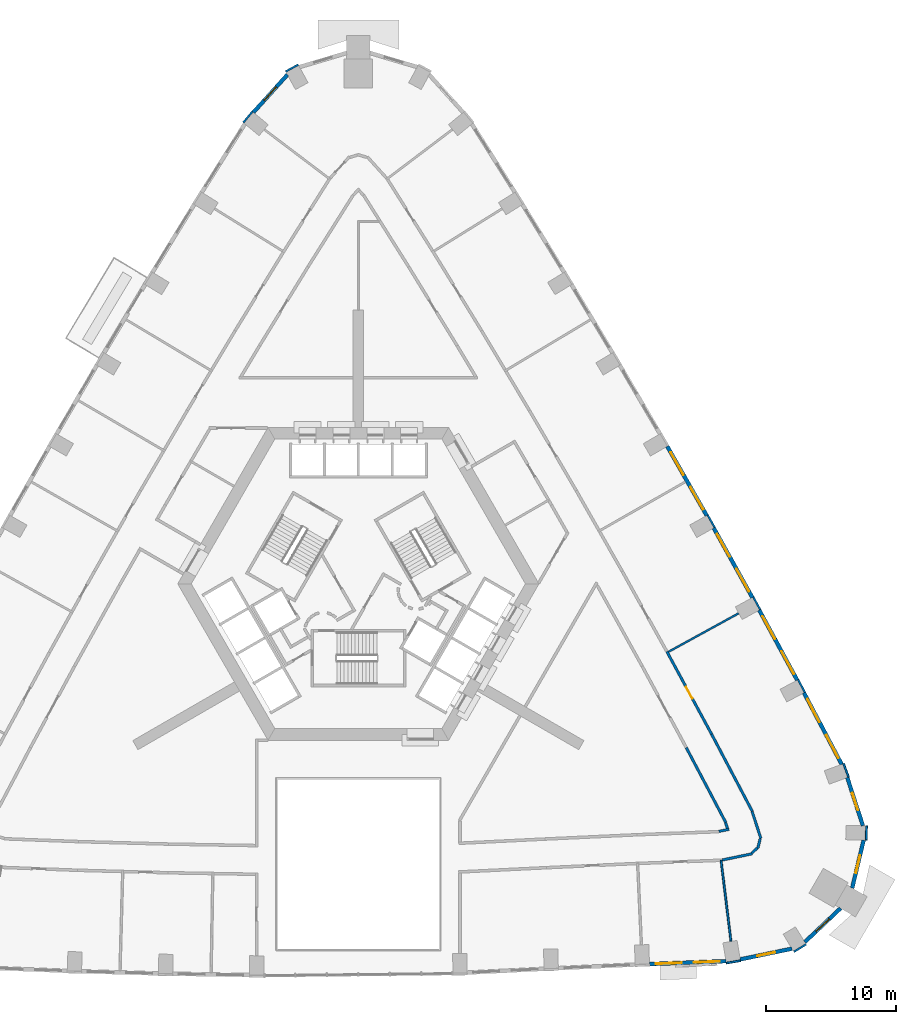
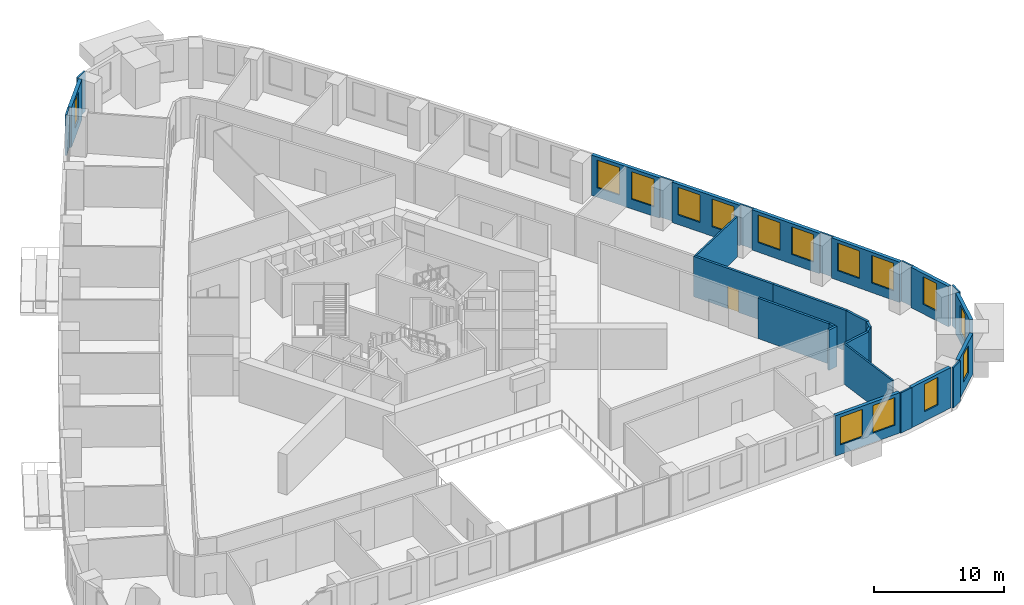
# One storey, part 11 of 15: 30 walls, 15 windows, 1 door, 16 openings.
"""IFC4 building model written with IfcOpenShell, lengths in metres."""

from ifc_helpers import new_model, si_unit, direction, frame, frame_2d, origin, place, context, subcontext, project, spatial, rectangle, extrude, material, layer, layer_set, type_object, element, fill, save


model = new_model("IFC4")

# Units and contexts
model_context = context("Model", 3, precision=1e-05, world=origin(), true_north=direction((0.0, 1.0)))
body_context = subcontext(model_context, "Body", "Model", "MODEL_VIEW")
ifc_project = project(units=[si_unit("LENGTHUNIT", "METRE"), si_unit("AREAUNIT", "SQUARE_METRE"), si_unit("VOLUMEUNIT", "CUBIC_METRE"), si_unit("PLANEANGLEUNIT", "RADIAN"), si_unit("MASSUNIT", "GRAM", prefix="KILO")], contexts=[model_context])

# Site, building, storey
site_placement = place(None, origin())
site = spatial("IfcSite", under=ifc_project, at=site_placement, CompositionType="ELEMENT")
building_placement = place(site_placement, origin())
building = spatial("IfcBuilding", under=site, at=building_placement, Name="Entoto Arch Interchange Tower", CompositionType="ELEMENT")
storey_placement = place(building_placement, frame((0.0, 0.0, 120.199951171875)))
storey = spatial("IfcBuildingStorey", under=building, at=storey_placement, Name="L26", CompositionType="ELEMENT", Elevation=120.199951171875)

# Walls
ifc_material_1 = material(Name="Gypsum board partition on steel studs", Category="steel")
ifc_layer_1 = layer(ifc_material_1, 0.14990234375)
ifc_layer_set_1 = layer_set([ifc_layer_1], Name="Gypsum board partition on steel studs")
wall_type_1 = type_object("IfcWallType", Name="PARTITION 150", PredefinedType="PARTITIONING", material=ifc_layer_set_1)
wall_1_placement = place(storey_placement, frame((27.822021484375, -18.7041015625, 0.0), z_axis=(0.0, 0.0, 1.0), x_axis=(0.121325411006, -0.992612786863, 0.0)))
element("IfcWall", 1, at=wall_1_placement, inside=storey, type_object=wall_type_1, Name="wall:L26:p120", PredefinedType="PARTITIONING", context=body_context, shape_type="SweptSolid", body=[
    extrude(rectangle(XDim=6.256103515625, YDim=0.14990234375, at=frame_2d((3.1279296875, 0.0))), origin(), (0.0, 0.0, 1.0), 3.800048828125),
])
wall_2_placement = place(storey_placement, frame((23.7890625, -2.716064453125, 0.0), z_axis=(0.0, 0.0, 1.0), x_axis=(0.876716532234, 0.481007403382, 0.0)))
element("IfcWall", 2, at=wall_2_placement, inside=storey, type_object=wall_type_1, Name="wall:L26:p121", PredefinedType="PARTITIONING", context=body_context, shape_type="SweptSolid", body=[
    extrude(rectangle(XDim=6.130859375, YDim=0.14990234375, at=frame_2d((3.0654296875, 0.0))), origin(), (0.0, 0.0, 1.0), 3.800048828125),
])
ifc_layer_2 = layer(ifc_material_1, 0.199951171875)
ifc_layer_set_2 = layer_set([ifc_layer_2], Name="Gypsum board partition on steel studs")
wall_type_2 = type_object("IfcWallType", Name="PARTITION 200", PredefinedType="PARTITIONING", material=ifc_layer_set_2)
wall_3_placement = place(storey_placement, frame((27.652099609375, -16.491943359375, 0.0), z_axis=(0.0, 0.0, 1.0), x_axis=(0.979299848672, 0.202414936184, 0.0)))
element("IfcWall", 3, at=wall_3_placement, inside=storey, type_object=wall_type_2, Name="wall:L26:p021", PredefinedType="PARTITIONING", context=body_context, shape_type="SweptSolid", body=[
    extrude(rectangle(XDim=0.804443359375, YDim=0.199951171875, at=frame_2d((0.40234375, 0.0))), origin(), (0.0, 0.0, 1.0), 3.800048828125),
])
wall_4_placement = place(storey_placement, frame((28.31103515625, -16.25390625, 0.0), z_axis=(0.0, 0.0, 1.0), x_axis=(-0.3080060081, 0.951384411778, 0.0)))
element("IfcWall", 4, at=wall_4_placement, inside=storey, type_object=wall_type_2, Name="wall:L26:p022", PredefinedType="PARTITIONING", context=body_context, shape_type="SweptSolid", body=[
    extrude(rectangle(XDim=0.455078125, YDim=0.199951171875, at=frame_2d((0.2275390625, 0.0))), origin(), (0.0, 0.0, 1.0), 3.800048828125),
])
wall_5_placement = place(storey_placement, frame((28.18701171875, -15.81494140625, 0.0), z_axis=(0.0, 0.0, 1.0), x_axis=(-0.466663976618, 0.884434696813, 0.0)))
element("IfcWall", 5, at=wall_5_placement, inside=storey, type_object=wall_type_2, Name="wall:L26:p023", PredefinedType="PARTITIONING", context=body_context, shape_type="SweptSolid", body=[
    extrude(rectangle(XDim=6.501220703125, YDim=0.199951171875, at=frame_2d((3.25048828125, 0.0))), origin(), (0.0, 0.0, 1.0), 3.800048828125),
])

# Wall, opening, door
wall_6_placement = place(storey_placement, frame((23.666015625, -2.697998046875, 0.0), z_axis=(0.0, 0.0, 1.0), x_axis=(0.476195741963, -0.879339306148, 0.0)))
wall_6 = element("IfcWall", 6, at=wall_6_placement, inside=storey, type_object=wall_type_2, Name="wall:L26:p039", PredefinedType="PARTITIONING", context=body_context, shape_type="SweptSolid", body=[
    extrude(rectangle(XDim=7.19873046875, YDim=0.199951171875, at=frame_2d((3.599365234375, 0.0))), origin(), (0.0, 0.0, 1.0), 3.800048828125),
])
opening_1_placement = place(wall_6_placement, frame((3.09912109375, 0.0, 0.0)))
opening_1 = element("IfcOpeningElement", 7, at=opening_1_placement, cuts=wall_6, Name="Opening L26-D03", PredefinedType="OPENING", context=body_context, shape_type="SweptSolid", body=[
    extrude(rectangle(XDim=1.0, YDim=2.10009765625, at=frame_2d((0.5, 1.050048828125))), frame((0.0, 0.10986328125, 0.0), z_axis=(0.0, -1.0, 0.0), x_axis=(1.0, 0.0, 0.0)), (0.0, 0.0, 1.0), 0.219970703125),
])
ifc_material_2 = material(Name="Timber door leaf in Steel S235 frame", Category="steel")
door_type = type_object("IfcDoorType", Name="DOOR DS-10 1000x2100", OperationType="SINGLE_SWING_LEFT", PredefinedType="DOOR", material=ifc_material_2)
door_placement = place(opening_1_placement, origin())
door = element("IfcDoor", 8, at=door_placement, inside=storey, type_object=door_type, Name="door:L26:03", OperationType="SINGLE_SWING_RIGHT", OverallHeight=2.10009765625, OverallWidth=1.0, PredefinedType="DOOR", context=body_context, shape_type="SweptSolid", body=[
    extrude(rectangle(XDim=1.0, YDim=2.10009765625, at=frame_2d((0.5, 1.050048828125))), frame((0.0, 0.02490234375, 0.0), z_axis=(0.0, -1.0, 0.0), x_axis=(1.0, 0.0, 0.0)), (0.0, 0.0, 1.0), 0.050048828125),
])
fill(opening_1, door)

# Walls
wall_7_placement = place(storey_placement, frame((27.093994140625, -9.028076171875, 0.0), z_axis=(0.0, 0.0, 1.0), x_axis=(0.466559961767, -0.884489571491, 0.0)))
element("IfcWall", 9, at=wall_7_placement, inside=storey, type_object=wall_type_2, Name="wall:L26:p040", PredefinedType="PARTITIONING", context=body_context, shape_type="SweptSolid", body=[
    extrude(rectangle(XDim=6.7021484375, YDim=0.199951171875, at=frame_2d((3.35107421875, 0.0))), origin(), (0.0, 0.0, 1.0), 3.800048828125),
])
wall_8_placement = place(storey_placement, frame((30.205078125, -14.9619140625, 0.0), z_axis=(0.0, 0.0, 1.0), x_axis=(0.308592319841, -0.951194396606, 0.0)))
element("IfcWall", 10, at=wall_8_placement, inside=storey, type_object=wall_type_2, Name="wall:L26:p041", PredefinedType="PARTITIONING", context=body_context, shape_type="SweptSolid", body=[
    extrude(rectangle(XDim=2.180419921875, YDim=0.199951171875, at=frame_2d((1.09033203125, 0.0))), origin(), (0.0, 0.0, 1.0), 3.800048828125),
])
wall_9_placement = place(storey_placement, frame((30.822998046875, -17.0380859375, 0.0), z_axis=(0.0, 0.0, 1.0), x_axis=(-0.2319010674, -0.972739376677, 0.0)))
element("IfcWall", 11, at=wall_9_placement, inside=storey, type_object=wall_type_2, Name="wall:L26:p042", PredefinedType="PARTITIONING", context=body_context, shape_type="SweptSolid", body=[
    extrude(rectangle(XDim=0.784423828125, YDim=0.199951171875, at=frame_2d((0.39208984375, 0.0))), origin(), (0.0, 0.0, 1.0), 3.800048828125),
])
wall_10_placement = place(storey_placement, frame((30.592041015625, -17.77294921875, 0.0), z_axis=(0.0, 0.0, 1.0), x_axis=(-0.727217805738, -0.68640677664, 0.0)))
element("IfcWall", 12, at=wall_10_placement, inside=storey, type_object=wall_type_2, Name="wall:L26:p043", PredefinedType="PARTITIONING", context=body_context, shape_type="SweptSolid", body=[
    extrude(rectangle(XDim=0.562255859375, YDim=0.199951171875, at=frame_2d((0.28125, 0.0))), origin(), (0.0, 0.0, 1.0), 3.800048828125),
])
wall_11_placement = place(storey_placement, frame((30.208984375, -18.2080078125, 0.0), z_axis=(0.0, 0.0, 1.0), x_axis=(-0.979049860969, -0.203620651545, 0.0)))
element("IfcWall", 13, at=wall_11_placement, inside=storey, type_object=wall_type_2, Name="wall:L26:p044", PredefinedType="PARTITIONING", context=body_context, shape_type="SweptSolid", body=[
    extrude(rectangle(XDim=2.338134765625, YDim=0.199951171875, at=frame_2d((1.1689453125, 0.0))), origin(), (0.0, 0.0, 1.0), 3.800048828125),
])

# Wall, openings, windows
ifc_material_3 = material(Name="Welded tuff (ignimbrite) cladding, warm buff", Category="masonry")
ifc_layer_3 = layer(ifc_material_3, 0.300048828125)
ifc_layer_set_3 = layer_set([ifc_layer_3], Name="Welded tuff (ignimbrite) cladding, warm buff")
wall_type_3 = type_object("IfcWallType", Name="STONE INFILL WALL 300", PredefinedType="STANDARD", material=ifc_layer_set_3)
wall_12_placement = place(storey_placement, frame((22.33203125, -26.669921875, 0.0), z_axis=(0.0, 0.0, 1.0), x_axis=(0.999267908582, 0.038257638169, 0.0)))
wall_12 = element("IfcWall", 14, at=wall_12_placement, inside=storey, type_object=wall_type_3, Name="Facade wall S-07 L26", PredefinedType="STANDARD", context=body_context, shape_type="SweptSolid", body=[
    extrude(rectangle(XDim=5.87744140625, YDim=0.300048828125, at=frame_2d((2.938720703125, 0.0))), origin(), (0.0, 0.0, 1.0), 3.800048828125),
])
opening_2_placement = place(wall_12_placement, frame((0.468994140625, 0.0, 0.89990234375)))
opening_2 = element("IfcOpeningElement", 15, at=opening_2_placement, cuts=wall_12, Name="Opening WO-C", PredefinedType="OPENING", context=body_context, shape_type="SweptSolid", body=[
    extrude(rectangle(XDim=2.0, YDim=2.60009765625, at=frame_2d((1.0, 1.300048828125))), frame((0.0, 0.16015625, 0.0), z_axis=(0.0, -1.0, 0.0), x_axis=(1.0, 0.0, 0.0)), (0.0, 0.0, 1.0), 0.320068359375),
])
opening_3_placement = place(wall_12_placement, frame((3.407958984375, 0.0, 0.89990234375)))
opening_3 = element("IfcOpeningElement", 16, at=opening_3_placement, cuts=wall_12, Name="Opening WO-C", PredefinedType="OPENING", context=body_context, shape_type="SweptSolid", body=[
    extrude(rectangle(XDim=2.0, YDim=2.60009765625, at=frame_2d((1.0, 1.300048828125))), frame((0.0, 0.16015625, 0.0), z_axis=(0.0, -1.0, 0.0), x_axis=(1.0, 0.0, 0.0)), (0.0, 0.0, 1.0), 0.320068359375),
])
ifc_material_4 = material(Name="Clear glass, low-e double glazed", Category="glass")
window_type_1 = type_object("IfcWindowType", Name="WINDOW WO-C 2000x2600", PartitioningType="DOUBLE_PANEL_VERTICAL", PredefinedType="WINDOW", material=ifc_material_4)
window_1_placement = place(opening_2_placement, origin())
window_1 = element("IfcWindow", 17, at=window_1_placement, inside=storey, type_object=window_type_1, Name="Window WO-C S-07 L26", OverallHeight=2.60009765625, OverallWidth=2.0, PartitioningType="SINGLE_PANEL", PredefinedType="WINDOW", context=body_context, shape_type="SweptSolid", body=[
    extrude(rectangle(XDim=2.0, YDim=2.60009765625, at=frame_2d((1.0, 1.300048828125))), frame((0.0, 0.030029296875, 0.0), z_axis=(0.0, -1.0, 0.0), x_axis=(1.0, 0.0, 0.0)), (0.0, 0.0, 1.0), 0.06005859375),
])
fill(opening_2, window_1)
window_2_placement = place(opening_3_placement, origin())
window_2 = element("IfcWindow", 18, at=window_2_placement, inside=storey, type_object=window_type_1, Name="Window WO-C S-07 L26", OverallHeight=2.60009765625, OverallWidth=2.0, PartitioningType="SINGLE_PANEL", PredefinedType="WINDOW", context=body_context, shape_type="SweptSolid", body=[
    extrude(rectangle(XDim=2.0, YDim=2.60009765625, at=frame_2d((1.0, 1.300048828125))), frame((0.0, 0.030029296875, 0.0), z_axis=(0.0, -1.0, 0.0), x_axis=(1.0, 0.0, 0.0)), (0.0, 0.0, 1.0), 0.06005859375),
])
fill(opening_3, window_2)

# Wall, opening, window
wall_13_placement = place(storey_placement, frame((29.297119140625, -26.31298828125, 0.0), z_axis=(0.0, 0.0, 1.0), x_axis=(0.979080614496, 0.203472726227, 0.0)))
wall_13 = element("IfcWall", 19, at=wall_13_placement, inside=storey, type_object=wall_type_3, Name="Facade wall SE-01 L26", PredefinedType="STANDARD", context=body_context, shape_type="SweptSolid", body=[
    extrude(rectangle(XDim=4.049560546875, YDim=0.300048828125, at=frame_2d((2.02490234375, 0.0))), origin(), (0.0, 0.0, 1.0), 3.800048828125),
])
opening_4_placement = place(wall_13_placement, frame((1.324951171875, 0.0, 0.89990234375)))
opening_4 = element("IfcOpeningElement", 20, at=opening_4_placement, cuts=wall_13, Name="Opening WO-B", PredefinedType="OPENING", context=body_context, shape_type="SweptSolid", body=[
    extrude(rectangle(XDim=1.39990234375, YDim=2.60009765625, at=frame_2d((0.699951171875, 1.300048828125))), frame((0.0, 0.16015625, 0.0), z_axis=(0.0, -1.0, 0.0), x_axis=(1.0, 0.0, 0.0)), (0.0, 0.0, 1.0), 0.320068359375),
])
window_type_2 = type_object("IfcWindowType", Name="WINDOW WO-B 1400x2600", PartitioningType="DOUBLE_PANEL_VERTICAL", PredefinedType="WINDOW", material=ifc_material_4)
window_3_placement = place(opening_4_placement, origin())
window_3 = element("IfcWindow", 21, at=window_3_placement, inside=storey, type_object=window_type_2, Name="Window WO-B SE-01 L26", OverallHeight=2.60009765625, OverallWidth=1.39990234375, PartitioningType="SINGLE_PANEL", PredefinedType="WINDOW", context=body_context, shape_type="SweptSolid", body=[
    extrude(rectangle(XDim=1.39990234375, YDim=2.60009765625, at=frame_2d((0.699951171875, 1.300048828125))), frame((0.0, 0.030029296875, 0.0), z_axis=(0.0, -1.0, 0.0), x_axis=(1.0, 0.0, 0.0)), (0.0, 0.0, 1.0), 0.06005859375),
])
fill(opening_4, window_3)

wall_14_placement = place(storey_placement, frame((34.242919921875, -24.989013671875, 0.0), z_axis=(0.0, 0.0, 1.0), x_axis=(0.726076674532, 0.687613745281, 0.0)))
wall_14 = element("IfcWall", 22, at=wall_14_placement, inside=storey, type_object=wall_type_3, Name="Facade wall SE-02 L26", PredefinedType="STANDARD", context=body_context, shape_type="SweptSolid", body=[
    extrude(rectangle(XDim=3.776611328125, YDim=0.300048828125, at=frame_2d((1.88818359375, 0.0))), origin(), (0.0, 0.0, 1.0), 3.800048828125),
])
opening_5_placement = place(wall_14_placement, frame((1.18798828125, 0.0, 0.89990234375)))
opening_5 = element("IfcOpeningElement", 23, at=opening_5_placement, cuts=wall_14, Name="Opening WO-B", PredefinedType="OPENING", context=body_context, shape_type="SweptSolid", body=[
    extrude(rectangle(XDim=1.39990234375, YDim=2.60009765625, at=frame_2d((0.699951171875, 1.300048828125))), frame((0.0, 0.16015625, 0.0), z_axis=(0.0, -1.0, 0.0), x_axis=(1.0, 0.0, 0.0)), (0.0, 0.0, 1.0), 0.320068359375),
])
window_4_placement = place(opening_5_placement, origin())
window_4 = element("IfcWindow", 24, at=window_4_placement, inside=storey, type_object=window_type_2, Name="Window WO-B SE-02 L26", OverallHeight=2.60009765625, OverallWidth=1.39990234375, PartitioningType="SINGLE_PANEL", PredefinedType="WINDOW", context=body_context, shape_type="SweptSolid", body=[
    extrude(rectangle(XDim=1.39990234375, YDim=2.60009765625, at=frame_2d((0.699951171875, 1.300048828125))), frame((0.0, 0.030029296875, 0.0), z_axis=(0.0, -1.0, 0.0), x_axis=(1.0, 0.0, 0.0)), (0.0, 0.0, 1.0), 0.06005859375),
])
fill(opening_5, window_4)

wall_15_placement = place(storey_placement, frame((37.884033203125, -20.8349609375, 0.0), z_axis=(0.0, 0.0, 1.0), x_axis=(0.232654276823, 0.972559503309, 0.0)))
wall_15 = element("IfcWall", 25, at=wall_15_placement, inside=storey, type_object=wall_type_3, Name="Facade wall SE-03 L26", PredefinedType="STANDARD", context=body_context, shape_type="SweptSolid", body=[
    extrude(rectangle(XDim=3.77783203125, YDim=0.300048828125, at=frame_2d((1.888916015625, 0.0))), origin(), (0.0, 0.0, 1.0), 3.800048828125),
])
opening_6_placement = place(wall_15_placement, frame((1.18896484375, 0.0, 0.89990234375)))
opening_6 = element("IfcOpeningElement", 26, at=opening_6_placement, cuts=wall_15, Name="Opening WO-B", PredefinedType="OPENING", context=body_context, shape_type="SweptSolid", body=[
    extrude(rectangle(XDim=1.39990234375, YDim=2.60009765625, at=frame_2d((0.699951171875, 1.300048828125))), frame((0.0, 0.16015625, 0.0), z_axis=(0.0, -1.0, 0.0), x_axis=(1.0, 0.0, 0.0)), (0.0, 0.0, 1.0), 0.320068359375),
])
window_5_placement = place(opening_6_placement, origin())
window_5 = element("IfcWindow", 27, at=window_5_placement, inside=storey, type_object=window_type_2, Name="Window WO-B SE-03 L26", OverallHeight=2.60009765625, OverallWidth=1.39990234375, PartitioningType="SINGLE_PANEL", PredefinedType="WINDOW", context=body_context, shape_type="SweptSolid", body=[
    extrude(rectangle(XDim=1.39990234375, YDim=2.60009765625, at=frame_2d((0.699951171875, 1.300048828125))), frame((0.0, 0.030029296875, 0.0), z_axis=(0.0, -1.0, 0.0), x_axis=(1.0, 0.0, 0.0)), (0.0, 0.0, 1.0), 0.06005859375),
])
fill(opening_6, window_5)

wall_16_placement = place(storey_placement, frame((38.708984375, -16.06103515625, 0.0), z_axis=(0.0, 0.0, 1.0), x_axis=(-0.308484760821, 0.951229284842, 0.0)))
wall_16 = element("IfcWall", 28, at=wall_16_placement, inside=storey, type_object=wall_type_3, Name="Facade wall SE-04 L26", PredefinedType="STANDARD", context=body_context, shape_type="SweptSolid", body=[
    extrude(rectangle(XDim=3.89306640625, YDim=0.300048828125, at=frame_2d((1.946533203125, 0.0))), origin(), (0.0, 0.0, 1.0), 3.800048828125),
])
opening_7_placement = place(wall_16_placement, frame((1.24609375, 0.0, 0.89990234375)))
opening_7 = element("IfcOpeningElement", 29, at=opening_7_placement, cuts=wall_16, Name="Opening WO-B", PredefinedType="OPENING", context=body_context, shape_type="SweptSolid", body=[
    extrude(rectangle(XDim=1.39990234375, YDim=2.60009765625, at=frame_2d((0.699951171875, 1.300048828125))), frame((0.0, 0.16015625, 0.0), z_axis=(0.0, -1.0, 0.0), x_axis=(1.0, 0.0, 0.0)), (0.0, 0.0, 1.0), 0.320068359375),
])
window_6_placement = place(opening_7_placement, origin())
window_6 = element("IfcWindow", 30, at=window_6_placement, inside=storey, type_object=window_type_2, Name="Window WO-B SE-04 L26", OverallHeight=2.60009765625, OverallWidth=1.39990234375, PartitioningType="SINGLE_PANEL", PredefinedType="WINDOW", context=body_context, shape_type="SweptSolid", body=[
    extrude(rectangle(XDim=1.39990234375, YDim=2.60009765625, at=frame_2d((0.699951171875, 1.300048828125))), frame((0.0, 0.030029296875, 0.0), z_axis=(0.0, -1.0, 0.0), x_axis=(1.0, 0.0, 0.0)), (0.0, 0.0, 1.0), 0.06005859375),
])
fill(opening_7, window_6)

# Wall, openings, windows
wall_17_placement = place(storey_placement, frame((37.0791015625, -11.345947265625, 0.0), z_axis=(0.0, 0.0, 1.0), x_axis=(-0.466599547852, 0.88446868907, 0.0)))
wall_17 = element("IfcWall", 31, at=wall_17_placement, inside=storey, type_object=wall_type_3, Name="Facade wall NE-01 L26", PredefinedType="STANDARD", context=body_context, shape_type="SweptSolid", body=[
    extrude(rectangle(XDim=6.202392578125, YDim=0.300048828125, at=frame_2d((3.10107421875, 0.0))), origin(), (0.0, 0.0, 1.0), 3.800048828125),
])
opening_8_placement = place(wall_17_placement, frame((0.551025390625, 0.0, 0.89990234375)))
opening_8 = element("IfcOpeningElement", 32, at=opening_8_placement, cuts=wall_17, Name="Opening WO-C", PredefinedType="OPENING", context=body_context, shape_type="SweptSolid", body=[
    extrude(rectangle(XDim=2.0, YDim=2.60009765625, at=frame_2d((1.0, 1.300048828125))), frame((0.0, 0.16015625, 0.0), z_axis=(0.0, -1.0, 0.0), x_axis=(1.0, 0.0, 0.0)), (0.0, 0.0, 1.0), 0.320068359375),
])
opening_9_placement = place(wall_17_placement, frame((3.652099609375, 0.0, 0.89990234375)))
opening_9 = element("IfcOpeningElement", 33, at=opening_9_placement, cuts=wall_17, Name="Opening WO-C", PredefinedType="OPENING", context=body_context, shape_type="SweptSolid", body=[
    extrude(rectangle(XDim=2.0, YDim=2.60009765625, at=frame_2d((1.0, 1.300048828125))), frame((0.0, 0.16015625, 0.0), z_axis=(0.0, -1.0, 0.0), x_axis=(1.0, 0.0, 0.0)), (0.0, 0.0, 1.0), 0.320068359375),
])
window_7_placement = place(opening_8_placement, origin())
window_7 = element("IfcWindow", 34, at=window_7_placement, inside=storey, type_object=window_type_1, Name="Window WO-C NE-01 L26", OverallHeight=2.60009765625, OverallWidth=2.0, PartitioningType="SINGLE_PANEL", PredefinedType="WINDOW", context=body_context, shape_type="SweptSolid", body=[
    extrude(rectangle(XDim=2.0, YDim=2.60009765625, at=frame_2d((1.0, 1.300048828125))), frame((0.0, 0.030029296875, 0.0), z_axis=(0.0, -1.0, 0.0), x_axis=(1.0, 0.0, 0.0)), (0.0, 0.0, 1.0), 0.06005859375),
])
fill(opening_8, window_7)
window_8_placement = place(opening_9_placement, origin())
window_8 = element("IfcWindow", 35, at=window_8_placement, inside=storey, type_object=window_type_1, Name="Window WO-C NE-01 L26", OverallHeight=2.60009765625, OverallWidth=2.0, PartitioningType="SINGLE_PANEL", PredefinedType="WINDOW", context=body_context, shape_type="SweptSolid", body=[
    extrude(rectangle(XDim=2.0, YDim=2.60009765625, at=frame_2d((1.0, 1.300048828125))), frame((0.0, 0.030029296875, 0.0), z_axis=(0.0, -1.0, 0.0), x_axis=(1.0, 0.0, 0.0)), (0.0, 0.0, 1.0), 0.06005859375),
])
fill(opening_9, window_8)

wall_18_placement = place(storey_placement, frame((33.6669921875, -4.89208984375, 0.0), z_axis=(0.0, 0.0, 1.0), x_axis=(-0.476097776444, 0.879392351152, 0.0)))
wall_18 = element("IfcWall", 36, at=wall_18_placement, inside=storey, type_object=wall_type_3, Name="Facade wall NE-02 L26", PredefinedType="STANDARD", context=body_context, shape_type="SweptSolid", body=[
    extrude(rectangle(XDim=6.10986328125, YDim=0.300048828125, at=frame_2d((3.054931640625, 0.0))), origin(), (0.0, 0.0, 1.0), 3.800048828125),
])
opening_10_placement = place(wall_18_placement, frame((0.527099609375, 0.0, 0.89990234375)))
opening_10 = element("IfcOpeningElement", 37, at=opening_10_placement, cuts=wall_18, Name="Opening WO-C", PredefinedType="OPENING", context=body_context, shape_type="SweptSolid", body=[
    extrude(rectangle(XDim=2.0, YDim=2.60009765625, at=frame_2d((1.0, 1.300048828125))), frame((0.0, 0.16015625, 0.0), z_axis=(0.0, -1.0, 0.0), x_axis=(1.0, 0.0, 0.0)), (0.0, 0.0, 1.0), 0.320068359375),
])
opening_11_placement = place(wall_18_placement, frame((3.58203125, 0.0, 0.89990234375)))
opening_11 = element("IfcOpeningElement", 38, at=opening_11_placement, cuts=wall_18, Name="Opening WO-C", PredefinedType="OPENING", context=body_context, shape_type="SweptSolid", body=[
    extrude(rectangle(XDim=2.0, YDim=2.60009765625, at=frame_2d((1.0, 1.300048828125))), frame((0.0, 0.16015625, 0.0), z_axis=(0.0, -1.0, 0.0), x_axis=(1.0, 0.0, 0.0)), (0.0, 0.0, 1.0), 0.320068359375),
])
window_9_placement = place(opening_10_placement, origin())
window_9 = element("IfcWindow", 39, at=window_9_placement, inside=storey, type_object=window_type_1, Name="Window WO-C NE-02 L26", OverallHeight=2.60009765625, OverallWidth=2.0, PartitioningType="SINGLE_PANEL", PredefinedType="WINDOW", context=body_context, shape_type="SweptSolid", body=[
    extrude(rectangle(XDim=2.0, YDim=2.60009765625, at=frame_2d((1.0, 1.300048828125))), frame((0.0, 0.030029296875, 0.0), z_axis=(0.0, -1.0, 0.0), x_axis=(1.0, 0.0, 0.0)), (0.0, 0.0, 1.0), 0.06005859375),
])
fill(opening_10, window_9)
window_10_placement = place(opening_11_placement, origin())
window_10 = element("IfcWindow", 40, at=window_10_placement, inside=storey, type_object=window_type_1, Name="Window WO-C NE-02 L26", OverallHeight=2.60009765625, OverallWidth=2.0, PartitioningType="SINGLE_PANEL", PredefinedType="WINDOW", context=body_context, shape_type="SweptSolid", body=[
    extrude(rectangle(XDim=2.0, YDim=2.60009765625, at=frame_2d((1.0, 1.300048828125))), frame((0.0, 0.030029296875, 0.0), z_axis=(0.0, -1.0, 0.0), x_axis=(1.0, 0.0, 0.0)), (0.0, 0.0, 1.0), 0.06005859375),
])
fill(opening_11, window_10)

wall_19_placement = place(storey_placement, frame((30.22998046875, 1.444091796875, 0.0), z_axis=(0.0, 0.0, 1.0), x_axis=(-0.485822751649, 0.874057351654, 0.0)))
wall_19 = element("IfcWall", 41, at=wall_19_placement, inside=storey, type_object=wall_type_3, Name="Facade wall NE-03 L26", PredefinedType="STANDARD", context=body_context, shape_type="SweptSolid", body=[
    extrude(rectangle(XDim=6.109375, YDim=0.300048828125, at=frame_2d((3.0546875, 0.0))), origin(), (0.0, 0.0, 1.0), 3.800048828125),
])
opening_12_placement = place(wall_19_placement, frame((0.527099609375, 0.0, 0.89990234375)))
opening_12 = element("IfcOpeningElement", 42, at=opening_12_placement, cuts=wall_19, Name="Opening WO-C", PredefinedType="OPENING", context=body_context, shape_type="SweptSolid", body=[
    extrude(rectangle(XDim=2.0, YDim=2.60009765625, at=frame_2d((1.0, 1.300048828125))), frame((0.0, 0.16015625, 0.0), z_axis=(0.0, -1.0, 0.0), x_axis=(1.0, 0.0, 0.0)), (0.0, 0.0, 1.0), 0.320068359375),
])
opening_13_placement = place(wall_19_placement, frame((3.58203125, 0.0, 0.89990234375)))
opening_13 = element("IfcOpeningElement", 43, at=opening_13_placement, cuts=wall_19, Name="Opening WO-C", PredefinedType="OPENING", context=body_context, shape_type="SweptSolid", body=[
    extrude(rectangle(XDim=2.0, YDim=2.60009765625, at=frame_2d((1.0, 1.300048828125))), frame((0.0, 0.16015625, 0.0), z_axis=(0.0, -1.0, 0.0), x_axis=(1.0, 0.0, 0.0)), (0.0, 0.0, 1.0), 0.320068359375),
])
window_11_placement = place(opening_12_placement, origin())
window_11 = element("IfcWindow", 44, at=window_11_placement, inside=storey, type_object=window_type_1, Name="Window WO-C NE-03 L26", OverallHeight=2.60009765625, OverallWidth=2.0, PartitioningType="SINGLE_PANEL", PredefinedType="WINDOW", context=body_context, shape_type="SweptSolid", body=[
    extrude(rectangle(XDim=2.0, YDim=2.60009765625, at=frame_2d((1.0, 1.300048828125))), frame((0.0, 0.030029296875, 0.0), z_axis=(0.0, -1.0, 0.0), x_axis=(1.0, 0.0, 0.0)), (0.0, 0.0, 1.0), 0.06005859375),
])
fill(opening_12, window_11)
window_12_placement = place(opening_13_placement, origin())
window_12 = element("IfcWindow", 45, at=window_12_placement, inside=storey, type_object=window_type_1, Name="Window WO-C NE-03 L26", OverallHeight=2.60009765625, OverallWidth=2.0, PartitioningType="SINGLE_PANEL", PredefinedType="WINDOW", context=body_context, shape_type="SweptSolid", body=[
    extrude(rectangle(XDim=2.0, YDim=2.60009765625, at=frame_2d((1.0, 1.300048828125))), frame((0.0, 0.030029296875, 0.0), z_axis=(0.0, -1.0, 0.0), x_axis=(1.0, 0.0, 0.0)), (0.0, 0.0, 1.0), 0.06005859375),
])
fill(opening_13, window_12)

wall_20_placement = place(storey_placement, frame((26.722900390625, 7.739990234375, 0.0), z_axis=(0.0, 0.0, 1.0), x_axis=(-0.495114366991, 0.868827810098, 0.0)))
wall_20 = element("IfcWall", 46, at=wall_20_placement, inside=storey, type_object=wall_type_3, Name="Facade wall NE-04 L26", PredefinedType="STANDARD", context=body_context, shape_type="SweptSolid", body=[
    extrude(rectangle(XDim=6.109619140625, YDim=0.300048828125, at=frame_2d((3.0546875, 0.0))), origin(), (0.0, 0.0, 1.0), 3.800048828125),
])
opening_14_placement = place(wall_20_placement, frame((0.527099609375, 0.0, 0.89990234375)))
opening_14 = element("IfcOpeningElement", 47, at=opening_14_placement, cuts=wall_20, Name="Opening WO-C", PredefinedType="OPENING", context=body_context, shape_type="SweptSolid", body=[
    extrude(rectangle(XDim=2.0, YDim=2.60009765625, at=frame_2d((1.0, 1.300048828125))), frame((0.0, 0.16015625, 0.0), z_axis=(0.0, -1.0, 0.0), x_axis=(1.0, 0.0, 0.0)), (0.0, 0.0, 1.0), 0.320068359375),
])
opening_15_placement = place(wall_20_placement, frame((3.58203125, 0.0, 0.89990234375)))
opening_15 = element("IfcOpeningElement", 48, at=opening_15_placement, cuts=wall_20, Name="Opening WO-C", PredefinedType="OPENING", context=body_context, shape_type="SweptSolid", body=[
    extrude(rectangle(XDim=2.0, YDim=2.60009765625, at=frame_2d((1.0, 1.300048828125))), frame((0.0, 0.16015625, 0.0), z_axis=(0.0, -1.0, 0.0), x_axis=(1.0, 0.0, 0.0)), (0.0, 0.0, 1.0), 0.320068359375),
])
window_13_placement = place(opening_14_placement, origin())
window_13 = element("IfcWindow", 49, at=window_13_placement, inside=storey, type_object=window_type_1, Name="Window WO-C NE-04 L26", OverallHeight=2.60009765625, OverallWidth=2.0, PartitioningType="SINGLE_PANEL", PredefinedType="WINDOW", context=body_context, shape_type="SweptSolid", body=[
    extrude(rectangle(XDim=2.0, YDim=2.60009765625, at=frame_2d((1.0, 1.300048828125))), frame((0.0, 0.030029296875, 0.0), z_axis=(0.0, -1.0, 0.0), x_axis=(1.0, 0.0, 0.0)), (0.0, 0.0, 1.0), 0.06005859375),
])
fill(opening_14, window_13)
window_14_placement = place(opening_15_placement, origin())
window_14 = element("IfcWindow", 50, at=window_14_placement, inside=storey, type_object=window_type_1, Name="Window WO-C NE-04 L26", OverallHeight=2.60009765625, OverallWidth=2.0, PartitioningType="SINGLE_PANEL", PredefinedType="WINDOW", context=body_context, shape_type="SweptSolid", body=[
    extrude(rectangle(XDim=2.0, YDim=2.60009765625, at=frame_2d((1.0, 1.300048828125))), frame((0.0, 0.030029296875, 0.0), z_axis=(0.0, -1.0, 0.0), x_axis=(1.0, 0.0, 0.0)), (0.0, 0.0, 1.0), 0.06005859375),
])
fill(opening_15, window_14)

# Wall, opening, window
wall_21_placement = place(storey_placement, frame((-5.445068359375, 41.552001953125, 0.0), z_axis=(0.0, 0.0, 1.0), x_axis=(-0.66966434159, -0.742663900834, 0.0)))
wall_21 = element("IfcWall", 51, at=wall_21_placement, inside=storey, type_object=wall_type_3, Name="Facade wall N-04 L26", PredefinedType="STANDARD", context=body_context, shape_type="SweptSolid", body=[
    extrude(rectangle(XDim=3.892822265625, YDim=0.300048828125, at=frame_2d((1.9462890625, 0.0))), origin(), (0.0, 0.0, 1.0), 3.800048828125),
])
opening_16_placement = place(wall_21_placement, frame((1.24609375, 0.0, 0.89990234375)))
opening_16 = element("IfcOpeningElement", 52, at=opening_16_placement, cuts=wall_21, Name="Opening WO-B", PredefinedType="OPENING", context=body_context, shape_type="SweptSolid", body=[
    extrude(rectangle(XDim=1.39990234375, YDim=2.60009765625, at=frame_2d((0.699951171875, 1.300048828125))), frame((0.0, 0.16015625, 0.0), z_axis=(0.0, -1.0, 0.0), x_axis=(1.0, 0.0, 0.0)), (0.0, 0.0, 1.0), 0.320068359375),
])
window_15_placement = place(opening_16_placement, origin())
window_15 = element("IfcWindow", 53, at=window_15_placement, inside=storey, type_object=window_type_2, Name="Window WO-B N-04 L26", OverallHeight=2.60009765625, OverallWidth=1.39990234375, PartitioningType="SINGLE_PANEL", PredefinedType="WINDOW", context=body_context, shape_type="SweptSolid", body=[
    extrude(rectangle(XDim=1.39990234375, YDim=2.60009765625, at=frame_2d((0.699951171875, 1.300048828125))), frame((0.0, 0.030029296875, 0.0), z_axis=(0.0, -1.0, 0.0), x_axis=(1.0, 0.0, 0.0)), (0.0, 0.0, 1.0), 0.06005859375),
])
fill(opening_16, window_15)

# Walls
ifc_layer_4 = layer(ifc_material_3, 0.14990234375)
ifc_layer_set_4 = layer_set([ifc_layer_4], Name="Welded tuff (ignimbrite) cladding, warm buff")
wall_type_4 = type_object("IfcWallType", Name="STONE PIER CLADDING 150", PredefinedType="STANDARD", material=ifc_layer_set_4)
wall_22_placement = place(storey_placement, frame((-4.613037109375, 42.322021484375, 0.0), z_axis=(0.0, 0.0, 1.0), x_axis=(-0.877463015547, -0.479644301902, 0.0)))
element("IfcWall", 54, at=wall_22_placement, inside=storey, type_object=wall_type_4, Name="Stone pier N3 L26", PredefinedType="STANDARD", context=body_context, shape_type="SweptSolid", body=[
    extrude(rectangle(XDim=1.10107421875, YDim=0.14990234375, at=frame_2d((0.550537109375, 0.0))), origin(), (0.0, 0.0, 1.0), 3.800048828125),
])
wall_23_placement = place(storey_placement, frame((37.60009765625, -12.324951171875, 0.0), z_axis=(0.0, 0.0, 1.0), x_axis=(-0.347205967468, 0.937788897436, 0.0)))
element("IfcWall", 55, at=wall_23_placement, inside=storey, type_object=wall_type_4, Name="Stone pier NE01 L26", PredefinedType="STANDARD", context=body_context, shape_type="SweptSolid", body=[
    extrude(rectangle(XDim=1.100341796875, YDim=0.14990234375, at=frame_2d((0.55029296875, 0.0))), origin(), (0.0, 0.0, 1.0), 3.800048828125),
])
wall_24_placement = place(storey_placement, frame((34.2529296875, -5.824951171875, 0.0), z_axis=(0.0, 0.0, 1.0), x_axis=(-0.46919310775, 0.883095593716, 0.0)))
element("IfcWall", 56, at=wall_24_placement, inside=storey, type_object=wall_type_4, Name="Stone pier NE02 L26", PredefinedType="STANDARD", context=body_context, shape_type="SweptSolid", body=[
    extrude(rectangle(XDim=1.099365234375, YDim=0.14990234375, at=frame_2d((0.5498046875, 0.0))), origin(), (0.0, 0.0, 1.0), 3.800048828125),
])
wall_25_placement = place(storey_placement, frame((30.825927734375, 0.51708984375, 0.0), z_axis=(0.0, 0.0, 1.0), x_axis=(-0.479566870346, 0.877505337229, 0.0)))
element("IfcWall", 57, at=wall_25_placement, inside=storey, type_object=wall_type_4, Name="Stone pier NE03 L26", PredefinedType="STANDARD", context=body_context, shape_type="SweptSolid", body=[
    extrude(rectangle(XDim=1.1005859375, YDim=0.14990234375, at=frame_2d((0.55029296875, 0.0))), origin(), (0.0, 0.0, 1.0), 3.800048828125),
])
wall_26_placement = place(storey_placement, frame((27.330078125, 6.821044921875, 0.0), z_axis=(0.0, 0.0, 1.0), x_axis=(-0.490008344094, 0.871717742574, 0.0)))
element("IfcWall", 58, at=wall_26_placement, inside=storey, type_object=wall_type_4, Name="Stone pier NE04 L26", PredefinedType="STANDARD", context=body_context, shape_type="SweptSolid", body=[
    extrude(rectangle(XDim=1.10009765625, YDim=0.14990234375, at=frame_2d((0.550048828125, 0.0))), origin(), (0.0, 0.0, 1.0), 3.800048828125),
])
wall_27_placement = place(storey_placement, frame((-8.1259765625, 38.72412109375, 0.0), z_axis=(0.0, 0.0, 1.0), x_axis=(-0.638435351024, -0.769675452748, 0.0)))
element("IfcWall", 59, at=wall_27_placement, inside=storey, type_object=wall_type_4, Name="Stone pier NW01 L26", PredefinedType="STANDARD", context=body_context, shape_type="SweptSolid", body=[
    extrude(rectangle(XDim=1.099365234375, YDim=0.14990234375, at=frame_2d((0.5498046875, 0.0))), origin(), (0.0, 0.0, 1.0), 3.800048828125),
])
wall_28_placement = place(storey_placement, frame((28.22900390625, -26.592041015625, 0.0), z_axis=(0.0, 0.0, 1.0), x_axis=(0.985763338892, 0.168138751323, 0.0)))
element("IfcWall", 60, at=wall_28_placement, inside=storey, type_object=wall_type_4, Name="Stone pier S08 L26", PredefinedType="STANDARD", context=body_context, shape_type="SweptSolid", body=[
    extrude(rectangle(XDim=1.1005859375, YDim=0.14990234375, at=frame_2d((0.55029296875, 0.0))), origin(), (0.0, 0.0, 1.0), 3.800048828125),
])
for number, where, z_axis, x_axis, name in (
    (61, (33.406005859375, -25.72802734375, 0.0), (0.0, 0.0, 1.0), (0.854245682901, 0.519869515594, 0.0), "Stone pier SE1 L26"),
    (62, (38.958984375, -17.166015625, 0.0), (0.0, 0.0, 1.0), (0.023739424163, 0.999718180159, 0.0), "Stone pier SE3 L26"),
):
    element("IfcWall", number, at=place(storey_placement, frame(where, z_axis=z_axis, x_axis=x_axis)), inside=storey, type_object=wall_type_4, Name=name, PredefinedType="STANDARD", context=body_context, shape_type="SweptSolid", body=[
        extrude(rectangle(XDim=1.100341796875, YDim=0.14990234375, at=frame_2d((0.55029296875, 0.0))), origin(), (0.0, 0.0, 1.0), 3.800048828125),
    ])

save(model, "model.ifc")
